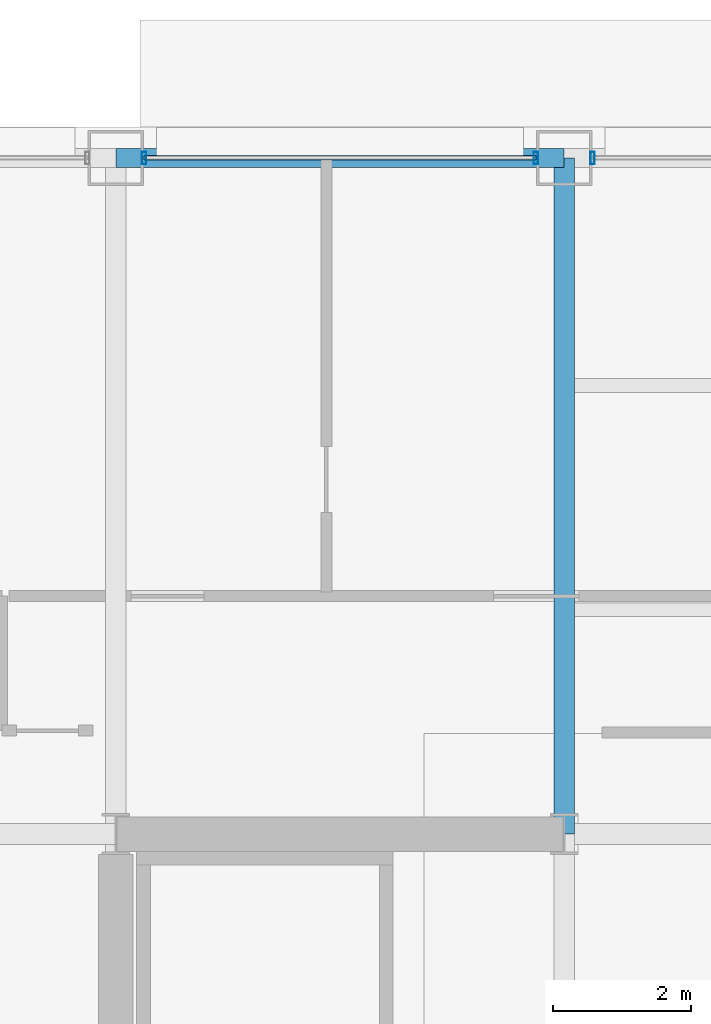
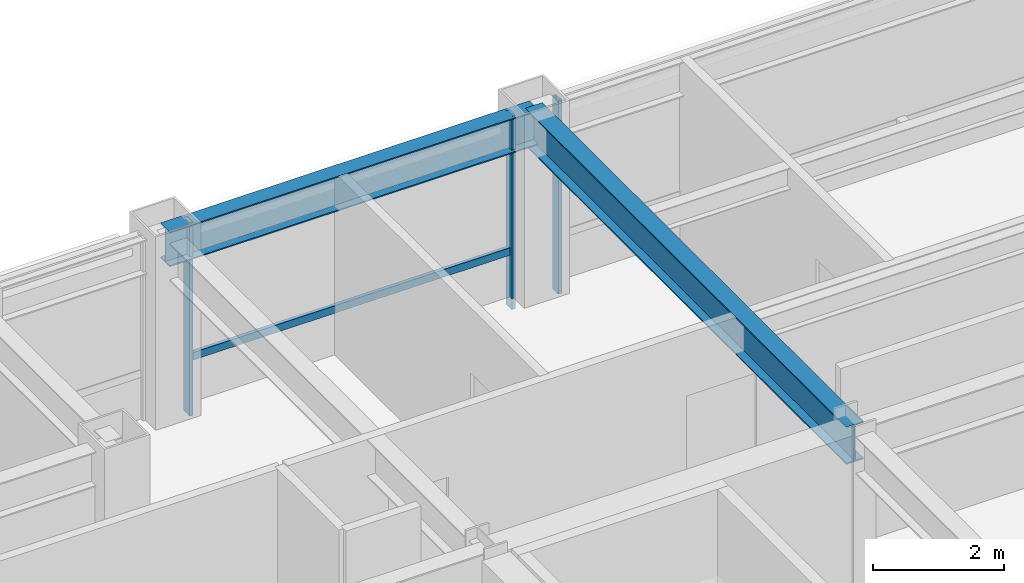
# One storey, part 19 of 28: 4 members, 2 beams, 2 elements without a shape of their own.
"""IFC4 building model written with IfcOpenShell, lengths in metres."""

from ifc_helpers import new_model, si_unit, direction, frame, origin, origin_2d, place, context, subcontext, project, spatial, hollow_rectangle, i_section, extrude, material, layer, layer_set, material_profile, profile_set, type_object, element, aggregate, save


model = new_model("IFC4")

# Units and contexts
model_context = context("Model", 3, precision=1e-05, world=origin(), true_north=direction((0.0, 1.0)))
body_context = subcontext(model_context, "Body", "Model", "MODEL_VIEW")
ifc_project = project(units=[si_unit("LENGTHUNIT", "METRE"), si_unit("AREAUNIT", "SQUARE_METRE"), si_unit("VOLUMEUNIT", "CUBIC_METRE"), si_unit("PLANEANGLEUNIT", "RADIAN"), si_unit("MASSUNIT", "GRAM", prefix="KILO")], contexts=[model_context])

# Site, building, storey
site_placement = place(None, origin())
site = spatial("IfcSite", under=ifc_project, at=site_placement, CompositionType="ELEMENT")
building_placement = place(site_placement, origin())
building = spatial("IfcBuilding", under=site, at=building_placement, Name="Brelmoor Portico Tower", CompositionType="ELEMENT")
storey_placement = place(building_placement, frame((0.0, 0.0, 142.199951171875)))
storey = spatial("IfcBuildingStorey", under=building, at=storey_placement, Name="L37", CompositionType="ELEMENT", Elevation=142.199951171875)

# Beams
ifc_material_1 = material(Name="Steel Q355B", Category="steel")
ifc_material_profile_1 = material_profile(ifc_material_1, i_section(OverallWidth=0.300048828125, OverallDepth=0.699951171875, WebThickness=0.012939453125, FlangeThickness=0.02392578125, at=origin_2d()), Name="HN 700x300x13x24")
ifc_profile_set_1 = profile_set([ifc_material_profile_1], Name="Steel Q355B")
beam_type_1 = type_object("IfcBeamType", Name="BM-PG-700", PredefinedType="BEAM", material=ifc_profile_set_1)
beam_1_placement = place(storey_placement, frame((-8.050048828125, 9.75, 3.050048828125), z_axis=(0.0, 1.0, 0.0), x_axis=(-1.0, 0.0, 0.0)))
element("IfcBeam", 1, at=beam_1_placement, inside=storey, type_object=beam_type_1, Name="L37 Primary Floor Girder PG-07", PredefinedType="BEAM", context=body_context, shape_type="SweptSolid", body=[
    extrude(i_section(OverallWidth=0.300048828125, OverallDepth=0.699951171875, WebThickness=0.012939453125, FlangeThickness=0.02392578125, at=origin_2d()), origin(), (0.0, 0.0, 1.0), 9.800048828125),
])
ifc_material_profile_2 = material_profile(ifc_material_1, i_section(OverallWidth=0.280029296875, OverallDepth=0.64990234375, WebThickness=0.012939453125, FlangeThickness=0.02197265625, at=origin_2d()), Name="HN 650x280x13x22")
ifc_profile_set_2 = profile_set([ifc_material_profile_2], Name="Steel Q355B")
beam_type_2 = type_object("IfcBeamType", Name="BM-SP-650", PredefinedType="SPANDREL", material=ifc_profile_set_2)
beam_2_placement = place(storey_placement, frame((-14.550048828125, 19.550048828125, 3.074951171875), z_axis=(1.0, 0.0, 0.0), x_axis=(0.0, 1.0, 0.0)))
element("IfcBeam", 2, at=beam_2_placement, inside=storey, type_object=beam_type_2, Name="L37 Perimeter Spandrel Beam SP-11", PredefinedType="SPANDREL", context=body_context, shape_type="SweptSolid", body=[
    extrude(i_section(OverallWidth=0.280029296875, OverallDepth=0.64990234375, WebThickness=0.012939453125, FlangeThickness=0.02197265625, at=origin_2d()), origin(), (0.0, 0.0, 1.0), 6.5),
])

# Curtain wall, members
ifc_material_2 = material(Name="Anodised Aluminium Alloy 6063-T6", Category="aluminium")
ifc_layer = layer(ifc_material_2, 0.179931640625)
ifc_layer_set = layer_set([ifc_layer], Name="Anodised Aluminium Alloy 6063-T6")
curtain_wall_type = type_object("IfcCurtainWallType", Name="CW-TOWER-Z2", PredefinedType="NOTDEFINED", material=ifc_layer_set)
curtain_wall_1_placement = place(storey_placement, origin())
curtain_wall_1 = element("IfcCurtainWall", 3, at=curtain_wall_1_placement, inside=storey, type_object=curtain_wall_type, Name="L37 Curtain Wall CW-L37-02-2", PredefinedType="NOTDEFINED")
ifc_material_profile_3 = material_profile(ifc_material_2, hollow_rectangle(XDim=0.06494140625, YDim=0.179931640625, WallThickness=0.00390625, at=origin_2d()), Name="ALU MULLION 65x180")
ifc_profile_set_3 = profile_set([ifc_material_profile_3], Name="Anodised Aluminium Alloy 6063-T6")
member_type_1 = type_object("IfcMemberType", Name="MB-CW-MULL-180", PredefinedType="MULLION", material=ifc_profile_set_3)
member_1_placement = place(storey_placement, frame((-14.139892578125, 19.550048828125, -0.199951171875), z_axis=(0.0, 0.0, 1.0), x_axis=(1.0, 0.0, 0.0)))
member_1 = element("IfcMember", 4, at=member_1_placement, type_object=member_type_1, Name="CW-L37-02-2 Mullion 00", PredefinedType="MULLION", context=body_context, shape_type="SweptSolid", body=[
    extrude(hollow_rectangle(XDim=0.06494140625, YDim=0.179931640625, WallThickness=0.00390625, at=origin_2d()), origin(), (0.0, 0.0, 1.0), 3.60009765625),
])
member_2_placement = place(storey_placement, frame((-8.4599609375, 19.550048828125, -0.199951171875), z_axis=(0.0, 0.0, 1.0), x_axis=(1.0, 0.0, 0.0)))
member_2 = element("IfcMember", 5, at=member_2_placement, type_object=member_type_1, Name="CW-L37-02-2 Mullion 01", PredefinedType="MULLION", context=body_context, shape_type="SweptSolid", body=[
    extrude(hollow_rectangle(XDim=0.06494140625, YDim=0.179931640625, WallThickness=0.00390625, at=origin_2d()), origin(), (0.0, 0.0, 1.0), 3.60009765625),
])

# Curtain wall, member
curtain_wall_2_placement = place(storey_placement, origin())
curtain_wall_2 = element("IfcCurtainWall", 6, at=curtain_wall_2_placement, inside=storey, type_object=curtain_wall_type, Name="L37 Curtain Wall CW-L37-02-3", PredefinedType="NOTDEFINED")
member_3_placement = place(storey_placement, frame((-7.639892578125, 19.550048828125, -0.199951171875), z_axis=(0.0, 0.0, 1.0), x_axis=(1.0, 0.0, 0.0)))
member_3 = element("IfcMember", 7, at=member_3_placement, type_object=member_type_1, Name="CW-L37-02-3 Mullion 00", PredefinedType="MULLION", context=body_context, shape_type="SweptSolid", body=[
    extrude(hollow_rectangle(XDim=0.06494140625, YDim=0.179931640625, WallThickness=0.00390625, at=origin_2d()), origin(), (0.0, 0.0, 1.0), 3.60009765625),
])
aggregate(curtain_wall_2, [member_3])

# Member
ifc_material_profile_4 = material_profile(ifc_material_2, hollow_rectangle(XDim=0.06494140625, YDim=0.139892578125, WallThickness=0.00390625, at=origin_2d()), Name="ALU TRANSOM 65x140")
ifc_profile_set_4 = profile_set([ifc_material_profile_4], Name="Anodised Aluminium Alloy 6063-T6")
member_type_2 = type_object("IfcMemberType", Name="MB-CW-TRAN-140", PredefinedType="USERDEFINED", material=ifc_profile_set_4)
member_4_placement = place(storey_placement, frame((-14.139892578125, 19.550048828125, 0.85009765625), z_axis=(1.0, 0.0, 0.0), x_axis=(0.0, 1.0, 0.0)))
member_4 = element("IfcMember", 8, at=member_4_placement, type_object=member_type_2, Name="CW-L37-02-2 Transom 1-00", ObjectType="TRANSOM", PredefinedType="USERDEFINED", context=body_context, shape_type="SweptSolid", body=[
    extrude(hollow_rectangle(XDim=0.06494140625, YDim=0.139892578125, WallThickness=0.00390625, at=origin_2d()), origin(), (0.0, 0.0, 1.0), 5.679931640625),
])

aggregate(curtain_wall_1, [member_1, member_2, member_4])

save(model, "model.ifc")
